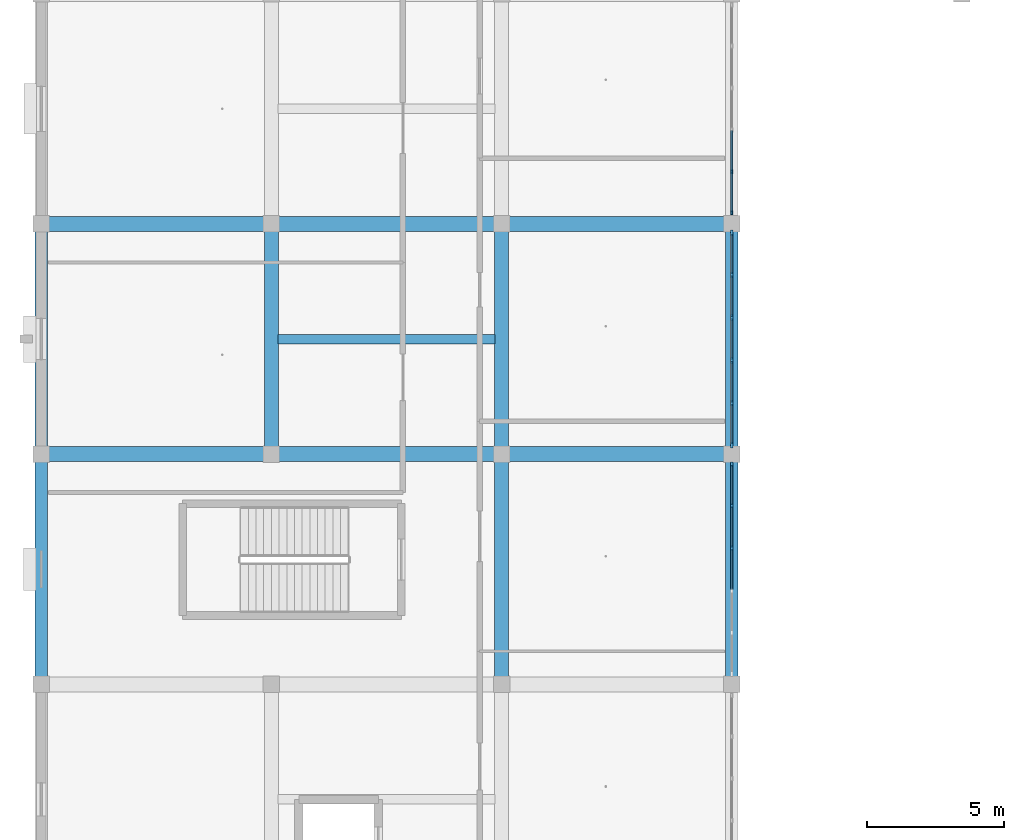
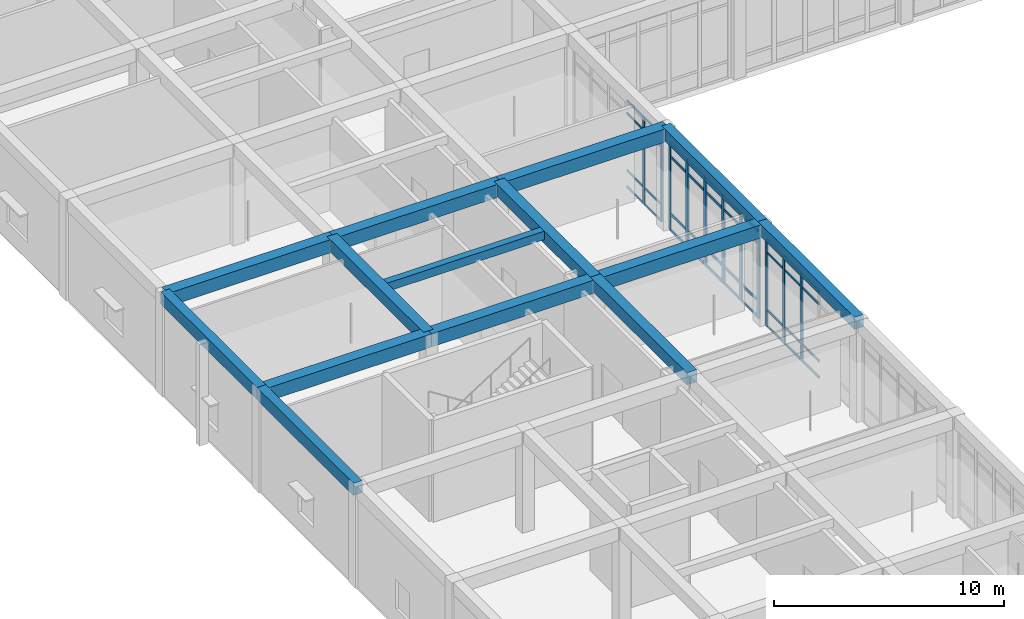
# One storey, part 30 of 157: 51 members, 14 beams, 3 elements without a shape of their own.
"""IFC4 building model written with IfcOpenShell, lengths in metres."""

from ifc_helpers import new_model, si_unit, direction, frame, origin, origin_2d, place, context, subcontext, project, spatial, rectangle, extrude, material, material_profile, profile_set, type_object, element, aggregate, save


model = new_model("IFC4")

# Units and contexts
model_context = context("Model", 3, precision=1e-05, world=origin(), true_north=direction((0.0, 1.0)))
body_context = subcontext(model_context, "Body", "Model", "MODEL_VIEW")
ifc_project = project(units=[si_unit("LENGTHUNIT", "METRE"), si_unit("AREAUNIT", "SQUARE_METRE"), si_unit("VOLUMEUNIT", "CUBIC_METRE"), si_unit("PLANEANGLEUNIT", "RADIAN"), si_unit("MASSUNIT", "GRAM", prefix="KILO")], contexts=[model_context])

# Site, building, storey
site_placement = place(None, origin())
site = spatial("IfcSite", under=ifc_project, at=site_placement, CompositionType="ELEMENT")
building_placement = place(site_placement, origin())
building = spatial("IfcBuilding", under=site, at=building_placement, Name="Varncliffe General Hospital", CompositionType="ELEMENT")
storey_placement = place(building_placement, frame((0.0, 0.0, 5.39990234375)))
storey = spatial("IfcBuildingStorey", under=building, at=storey_placement, Name="L01", CompositionType="ELEMENT", Elevation=5.39990234375)

# Beams
ifc_material_1 = material(Name="Concrete C35/45 (CSA A23.1 35 MPa)", Category="concrete")
ifc_material_profile_1 = material_profile(ifc_material_1, rectangle(XDim=0.5, YDim=0.64990234375, at=origin_2d()), Name="RC 500x650")
ifc_profile_set_1 = profile_set([ifc_material_profile_1], Name="Concrete C35/45 (CSA A23.1 35 MPa)")
beam_type_1 = type_object("IfcBeamType", Name="Beam B29 (Int RC 500x650)", PredefinedType="BEAM", material=ifc_profile_set_1)
for number, where, z_axis, x_axis, name in (
    (1, (8.39990234375, 66.0, 5.0751953125), (0.0, 1.0, 0.0), (-1.0, 0.0, 0.0), "L01 Primary Beam B29-283"),
    (2, (16.800048828125, 57.60009765625, 5.0751953125), (0.0, 1.0, 0.0), (-1.0, 0.0, 0.0), "L01 Primary Beam B29-299"),
    (3, (16.800048828125, 66.0, 5.0751953125), (0.0, 1.0, 0.0), (-1.0, 0.0, 0.0), "L01 Primary Beam B29-300"),
):
    element("IfcBeam", number, at=place(storey_placement, frame(where, z_axis=z_axis, x_axis=x_axis)), inside=storey, type_object=beam_type_1, Name=name, PredefinedType="BEAM", context=body_context, shape_type="SweptSolid", body=[
        extrude(rectangle(XDim=0.5, YDim=0.64990234375, at=origin_2d()), origin(), (0.0, 0.0, 1.0), 8.39990234375),
    ])
ifc_material_profile_2 = material_profile(ifc_material_1, rectangle(XDim=0.550048828125, YDim=0.699951171875, at=origin_2d()), Name="RC 550x700")
ifc_profile_set_2 = profile_set([ifc_material_profile_2], Name="Concrete C35/45 (CSA A23.1 35 MPa)")
beam_type_2 = type_object("IfcBeamType", Name="Beam B35 (Int RC 550x700)", PredefinedType="BEAM", material=ifc_profile_set_2)
beam_1_placement = place(storey_placement, frame((0.0, 66.0, 5.050048828125), z_axis=(1.0, 0.0, 0.0), x_axis=(0.0, 1.0, 0.0)))
element("IfcBeam", 4, at=beam_1_placement, inside=storey, type_object=beam_type_2, Name="L01 Primary Beam B35-86", PredefinedType="BEAM", context=body_context, shape_type="SweptSolid", body=[
    extrude(rectangle(XDim=0.550048828125, YDim=0.699951171875, at=origin_2d()), origin(), (0.0, 0.0, 1.0), 8.39990234375),
])
beam_2_placement = place(storey_placement, frame((8.39990234375, 66.0, 5.050048828125), z_axis=(1.0, 0.0, 0.0), x_axis=(0.0, 1.0, 0.0)))
element("IfcBeam", 5, at=beam_2_placement, inside=storey, type_object=beam_type_2, Name="L01 Primary Beam B35-87", PredefinedType="BEAM", context=body_context, shape_type="SweptSolid", body=[
    extrude(rectangle(XDim=0.550048828125, YDim=0.699951171875, at=origin_2d()), origin(), (0.0, 0.0, 1.0), 8.400146484375),
])
for number, where, z_axis, x_axis, name in (
    (6, (16.800048828125, 66.0, 5.050048828125), (1.0, 0.0, 0.0), (0.0, 1.0, 0.0), "L01 Primary Beam B35-88"),
    (7, (0.0, 74.39990234375, 5.050048828125), (1.0, 0.0, 0.0), (0.0, 1.0, 0.0), "L01 Primary Beam B35-99"),
):
    element("IfcBeam", number, at=place(storey_placement, frame(where, z_axis=z_axis, x_axis=x_axis)), inside=storey, type_object=beam_type_2, Name=name, PredefinedType="BEAM", context=body_context, shape_type="SweptSolid", body=[
        extrude(rectangle(XDim=0.550048828125, YDim=0.699951171875, at=origin_2d()), origin(), (0.0, 0.0, 1.0), 8.39990234375),
    ])
beam_3_placement = place(storey_placement, frame((8.39990234375, 74.39990234375, 5.050048828125), z_axis=(1.0, 0.0, 0.0), x_axis=(0.0, 1.0, 0.0)))
element("IfcBeam", 8, at=beam_3_placement, inside=storey, type_object=beam_type_2, Name="L01 Primary Beam B35-100", PredefinedType="BEAM", context=body_context, shape_type="SweptSolid", body=[
    extrude(rectangle(XDim=0.550048828125, YDim=0.699951171875, at=origin_2d()), origin(), (0.0, 0.0, 1.0), 8.400146484375),
])
beam_4_placement = place(storey_placement, frame((16.800048828125, 74.39990234375, 5.050048828125), z_axis=(1.0, 0.0, 0.0), x_axis=(0.0, 1.0, 0.0)))
element("IfcBeam", 9, at=beam_4_placement, inside=storey, type_object=beam_type_2, Name="L01 Primary Beam B35-101", PredefinedType="BEAM", context=body_context, shape_type="SweptSolid", body=[
    extrude(rectangle(XDim=0.550048828125, YDim=0.699951171875, at=origin_2d()), origin(), (0.0, 0.0, 1.0), 8.39990234375),
])

# Curtain wall, members
ifc_material_2 = material(Name="Triple low-E argon insulated vision glazing", Category="glass")
curtain_wall_type_1 = type_object("IfcCurtainWallType", Name="Unitised Glazed Curtain Wall CW70 (7724x4640)", PredefinedType="USERDEFINED", material=ifc_material_2)
curtain_wall_1_placement = place(storey_placement, origin())
curtain_wall_1 = element("IfcCurtainWall", 10, at=curtain_wall_1_placement, inside=storey, type_object=curtain_wall_type_1, Name="L01 Glazed Curtain Wall CW70-79", ObjectType="GLAZED CURTAIN WALL", PredefinedType="USERDEFINED")
ifc_material_3 = material(Name="Dark bronze thermally broken aluminium framing", Category="aluminium")
ifc_material_profile_3 = material_profile(ifc_material_3, rectangle(XDim=0.074951171875, YDim=0.179931640625, at=origin_2d()), Name="ALU 75x180")
ifc_profile_set_3 = profile_set([ifc_material_profile_3], Name="Dark bronze thermally broken aluminium framing")
member_type_1 = type_object("IfcMemberType", Name="Curtain Wall Mullion CM44 (ALU 75x180)", PredefinedType="MULLION", material=ifc_profile_set_3)
member_1_placement = place(storey_placement, frame((25.199951171875, 65.62451171875, 0.0), z_axis=(0.0, 0.0, 1.0), x_axis=(1.0, 0.0, 0.0)))
member_1 = element("IfcMember", 11, at=member_1_placement, type_object=member_type_1, Name="CW70 mullion 1", PredefinedType="MULLION", context=body_context, shape_type="SweptSolid", body=[
    extrude(rectangle(XDim=0.074951171875, YDim=0.179931640625, at=origin_2d()), origin(), (0.0, 0.0, 1.0), 4.64013671875),
])
member_2_placement = place(storey_placement, frame((25.199951171875, 64.1171875, 0.0), z_axis=(0.0, 0.0, 1.0), x_axis=(1.0, 0.0, 0.0)))
member_2 = element("IfcMember", 12, at=member_2_placement, type_object=member_type_1, Name="CW70 mullion 2", PredefinedType="MULLION", context=body_context, shape_type="SweptSolid", body=[
    extrude(rectangle(XDim=0.074951171875, YDim=0.179931640625, at=origin_2d()), origin(), (0.0, 0.0, 1.0), 4.64013671875),
])
member_3_placement = place(storey_placement, frame((25.199951171875, 62.572509765625, 0.0), z_axis=(0.0, 0.0, 1.0), x_axis=(1.0, 0.0, 0.0)))
member_3 = element("IfcMember", 13, at=member_3_placement, type_object=member_type_1, Name="CW70 mullion 3", PredefinedType="MULLION", context=body_context, shape_type="SweptSolid", body=[
    extrude(rectangle(XDim=0.074951171875, YDim=0.179931640625, at=origin_2d()), origin(), (0.0, 0.0, 1.0), 4.64013671875),
])

curtain_wall_type_2 = type_object("IfcCurtainWallType", Name="Unitised Glazed Curtain Wall CW27 (7644x4640)", PredefinedType="USERDEFINED", material=ifc_material_2)
curtain_wall_2_placement = place(storey_placement, origin())
curtain_wall_2 = element("IfcCurtainWall", 14, at=curtain_wall_2_placement, inside=storey, type_object=curtain_wall_type_2, Name="L01 Glazed Curtain Wall CW27-77", ObjectType="GLAZED CURTAIN WALL", PredefinedType="USERDEFINED")
ifc_material_profile_4 = material_profile(ifc_material_3, rectangle(XDim=0.06494140625, YDim=0.159912109375, at=origin_2d()), Name="ALU 65x160")
ifc_profile_set_4 = profile_set([ifc_material_profile_4], Name="Dark bronze thermally broken aluminium framing")
member_type_2 = type_object("IfcMemberType", Name="Curtain Wall Mullion CM65 (ALU 65x160)", PredefinedType="MULLION", material=ifc_profile_set_4)
member_4_placement = place(storey_placement, frame((25.199951171875, 76.306884765625, 0.0), z_axis=(0.0, 0.0, 1.0), x_axis=(1.0, 0.0, 0.0)))
member_4 = element("IfcMember", 15, at=member_4_placement, type_object=member_type_2, Name="CW27 mullion 5", PredefinedType="MULLION", context=body_context, shape_type="SweptSolid", body=[
    extrude(rectangle(XDim=0.06494140625, YDim=0.159912109375, at=origin_2d()), origin(), (0.0, 0.0, 1.0), 4.64013671875),
])
member_5_placement = place(storey_placement, frame((25.199951171875, 74.810546875, 0.0), z_axis=(0.0, 0.0, 1.0), x_axis=(1.0, 0.0, 0.0)))
member_5 = element("IfcMember", 16, at=member_5_placement, type_object=member_type_2, Name="CW27 mullion 6", PredefinedType="MULLION", context=body_context, shape_type="SweptSolid", body=[
    extrude(rectangle(XDim=0.06494140625, YDim=0.159912109375, at=origin_2d()), origin(), (0.0, 0.0, 1.0), 4.64013671875),
])

curtain_wall_type_3 = type_object("IfcCurtainWallType", Name="Unitised Glazed Curtain Wall CW85 (7804x4640)", PredefinedType="USERDEFINED", material=ifc_material_2)
curtain_wall_3_placement = place(storey_placement, origin())
curtain_wall_3 = element("IfcCurtainWall", 17, at=curtain_wall_3_placement, inside=storey, type_object=curtain_wall_type_3, Name="L01 Glazed Curtain Wall CW85-78", ObjectType="GLAZED CURTAIN WALL", PredefinedType="USERDEFINED")
ifc_material_profile_5 = material_profile(ifc_material_3, rectangle(XDim=0.074951171875, YDim=0.219970703125, at=origin_2d()), Name="ALU 75x220")
ifc_profile_set_5 = profile_set([ifc_material_profile_5], Name="Dark bronze thermally broken aluminium framing")
member_type_3 = type_object("IfcMemberType", Name="Curtain Wall Mullion CM74 (ALU 75x220)", PredefinedType="MULLION", material=ifc_profile_set_5)
member_6_placement = place(storey_placement, frame((25.199951171875, 74.064453125, 0.0), z_axis=(0.0, 0.0, 1.0), x_axis=(1.0, 0.0, 0.0)))
member_6 = element("IfcMember", 18, at=member_6_placement, type_object=member_type_3, Name="CW85 mullion 1", PredefinedType="MULLION", context=body_context, shape_type="SweptSolid", body=[
    extrude(rectangle(XDim=0.074951171875, YDim=0.219970703125, at=origin_2d()), origin(), (0.0, 0.0, 1.0), 4.64013671875),
])
member_7_placement = place(storey_placement, frame((25.199951171875, 72.541259765625, 0.0), z_axis=(0.0, 0.0, 1.0), x_axis=(1.0, 0.0, 0.0)))
member_7 = element("IfcMember", 19, at=member_7_placement, type_object=member_type_3, Name="CW85 mullion 2", PredefinedType="MULLION", context=body_context, shape_type="SweptSolid", body=[
    extrude(rectangle(XDim=0.074951171875, YDim=0.219970703125, at=origin_2d()), origin(), (0.0, 0.0, 1.0), 4.64013671875),
])
member_8_placement = place(storey_placement, frame((25.199951171875, 70.98046875, 0.0), z_axis=(0.0, 0.0, 1.0), x_axis=(1.0, 0.0, 0.0)))
member_8 = element("IfcMember", 20, at=member_8_placement, type_object=member_type_3, Name="CW85 mullion 3", PredefinedType="MULLION", context=body_context, shape_type="SweptSolid", body=[
    extrude(rectangle(XDim=0.074951171875, YDim=0.219970703125, at=origin_2d()), origin(), (0.0, 0.0, 1.0), 4.64013671875),
])
member_9_placement = place(storey_placement, frame((25.199951171875, 69.419677734375, 0.0), z_axis=(0.0, 0.0, 1.0), x_axis=(1.0, 0.0, 0.0)))
member_9 = element("IfcMember", 21, at=member_9_placement, type_object=member_type_3, Name="CW85 mullion 4", PredefinedType="MULLION", context=body_context, shape_type="SweptSolid", body=[
    extrude(rectangle(XDim=0.074951171875, YDim=0.219970703125, at=origin_2d()), origin(), (0.0, 0.0, 1.0), 4.64013671875),
])
member_10_placement = place(storey_placement, frame((25.199951171875, 67.85888671875, 0.0), z_axis=(0.0, 0.0, 1.0), x_axis=(1.0, 0.0, 0.0)))
member_10 = element("IfcMember", 22, at=member_10_placement, type_object=member_type_3, Name="CW85 mullion 5", PredefinedType="MULLION", context=body_context, shape_type="SweptSolid", body=[
    extrude(rectangle(XDim=0.074951171875, YDim=0.219970703125, at=origin_2d()), origin(), (0.0, 0.0, 1.0), 4.64013671875),
])
member_11_placement = place(storey_placement, frame((25.199951171875, 66.33544921875, 0.0), z_axis=(0.0, 0.0, 1.0), x_axis=(1.0, 0.0, 0.0)))
member_11 = element("IfcMember", 23, at=member_11_placement, type_object=member_type_3, Name="CW85 mullion 6", PredefinedType="MULLION", context=body_context, shape_type="SweptSolid", body=[
    extrude(rectangle(XDim=0.074951171875, YDim=0.219970703125, at=origin_2d()), origin(), (0.0, 0.0, 1.0), 4.64013671875),
])

# Member
ifc_material_profile_6 = material_profile(ifc_material_3, rectangle(XDim=0.06005859375, YDim=0.1201171875, at=origin_2d()), Name="ALU 60x120")
ifc_profile_set_6 = profile_set([ifc_material_profile_6], Name="Dark bronze thermally broken aluminium framing")
member_type_4 = type_object("IfcMemberType", Name="Curtain Wall Transom CT14 (ALU 60x120)", PredefinedType="USERDEFINED", material=ifc_profile_set_6)
member_12_placement = place(storey_placement, frame((25.199951171875, 65.5869140625, 0.030029296875), z_axis=(0.0, -1.0, 0.0), x_axis=(1.0, 0.0, 0.0)))
member_12 = element("IfcMember", 24, at=member_12_placement, type_object=member_type_4, Name="CW70 transom 1.1", ObjectType="TRANSOM", PredefinedType="USERDEFINED", context=body_context, shape_type="SweptSolid", body=[
    extrude(rectangle(XDim=0.06005859375, YDim=0.1201171875, at=origin_2d()), origin(), (0.0, 0.0, 1.0), 1.43212890625),
])

member_13_placement = place(storey_placement, frame((25.199951171875, 65.5869140625, 0.900146484375), z_axis=(0.0, -1.0, 0.0), x_axis=(1.0, 0.0, 0.0)))
member_13 = element("IfcMember", 25, at=member_13_placement, type_object=member_type_4, Name="CW70 transom 1.2", ObjectType="TRANSOM", PredefinedType="USERDEFINED", context=body_context, shape_type="SweptSolid", body=[
    extrude(rectangle(XDim=0.06005859375, YDim=0.1201171875, at=origin_2d()), origin(), (0.0, 0.0, 1.0), 1.43212890625),
])

member_14_placement = place(storey_placement, frame((25.199951171875, 65.5869140625, 3.940185546875), z_axis=(0.0, -1.0, 0.0), x_axis=(1.0, 0.0, 0.0)))
member_14 = element("IfcMember", 26, at=member_14_placement, type_object=member_type_4, Name="CW70 transom 1.3", ObjectType="TRANSOM", PredefinedType="USERDEFINED", context=body_context, shape_type="SweptSolid", body=[
    extrude(rectangle(XDim=0.06005859375, YDim=0.1201171875, at=origin_2d()), origin(), (0.0, 0.0, 1.0), 1.43212890625),
])

member_15_placement = place(storey_placement, frame((25.199951171875, 65.5869140625, 4.610107421875), z_axis=(0.0, -1.0, 0.0), x_axis=(1.0, 0.0, 0.0)))
member_15 = element("IfcMember", 27, at=member_15_placement, type_object=member_type_4, Name="CW70 transom 1.4", ObjectType="TRANSOM", PredefinedType="USERDEFINED", context=body_context, shape_type="SweptSolid", body=[
    extrude(rectangle(XDim=0.06005859375, YDim=0.1201171875, at=origin_2d()), origin(), (0.0, 0.0, 1.0), 1.43212890625),
])

member_16_placement = place(storey_placement, frame((25.199951171875, 64.07958984375, 0.030029296875), z_axis=(0.0, -1.0, 0.0), x_axis=(1.0, 0.0, 0.0)))
member_16 = element("IfcMember", 28, at=member_16_placement, type_object=member_type_4, Name="CW70 transom 2.1", ObjectType="TRANSOM", PredefinedType="USERDEFINED", context=body_context, shape_type="SweptSolid", body=[
    extrude(rectangle(XDim=0.06005859375, YDim=0.1201171875, at=origin_2d()), origin(), (0.0, 0.0, 1.0), 1.4697265625),
])

member_17_placement = place(storey_placement, frame((25.199951171875, 64.07958984375, 0.900146484375), z_axis=(0.0, -1.0, 0.0), x_axis=(1.0, 0.0, 0.0)))
member_17 = element("IfcMember", 29, at=member_17_placement, type_object=member_type_4, Name="CW70 transom 2.2", ObjectType="TRANSOM", PredefinedType="USERDEFINED", context=body_context, shape_type="SweptSolid", body=[
    extrude(rectangle(XDim=0.06005859375, YDim=0.1201171875, at=origin_2d()), origin(), (0.0, 0.0, 1.0), 1.4697265625),
])

member_18_placement = place(storey_placement, frame((25.199951171875, 64.07958984375, 3.940185546875), z_axis=(0.0, -1.0, 0.0), x_axis=(1.0, 0.0, 0.0)))
member_18 = element("IfcMember", 30, at=member_18_placement, type_object=member_type_4, Name="CW70 transom 2.3", ObjectType="TRANSOM", PredefinedType="USERDEFINED", context=body_context, shape_type="SweptSolid", body=[
    extrude(rectangle(XDim=0.06005859375, YDim=0.1201171875, at=origin_2d()), origin(), (0.0, 0.0, 1.0), 1.4697265625),
])

member_19_placement = place(storey_placement, frame((25.199951171875, 64.07958984375, 4.610107421875), z_axis=(0.0, -1.0, 0.0), x_axis=(1.0, 0.0, 0.0)))
member_19 = element("IfcMember", 31, at=member_19_placement, type_object=member_type_4, Name="CW70 transom 2.4", ObjectType="TRANSOM", PredefinedType="USERDEFINED", context=body_context, shape_type="SweptSolid", body=[
    extrude(rectangle(XDim=0.06005859375, YDim=0.1201171875, at=origin_2d()), origin(), (0.0, 0.0, 1.0), 1.4697265625),
])

member_20_placement = place(storey_placement, frame((25.199951171875, 62.534912109375, 0.030029296875), z_axis=(0.0, -1.0, 0.0), x_axis=(1.0, 0.0, 0.0)))
member_20 = element("IfcMember", 32, at=member_20_placement, type_object=member_type_4, Name="CW70 transom 3.1", ObjectType="TRANSOM", PredefinedType="USERDEFINED", context=body_context, shape_type="SweptSolid", body=[
    extrude(rectangle(XDim=0.06005859375, YDim=0.1201171875, at=origin_2d()), origin(), (0.0, 0.0, 1.0), 1.4697265625),
])

member_21_placement = place(storey_placement, frame((25.199951171875, 62.534912109375, 0.900146484375), z_axis=(0.0, -1.0, 0.0), x_axis=(1.0, 0.0, 0.0)))
member_21 = element("IfcMember", 33, at=member_21_placement, type_object=member_type_4, Name="CW70 transom 3.2", ObjectType="TRANSOM", PredefinedType="USERDEFINED", context=body_context, shape_type="SweptSolid", body=[
    extrude(rectangle(XDim=0.06005859375, YDim=0.1201171875, at=origin_2d()), origin(), (0.0, 0.0, 1.0), 1.4697265625),
])

member_22_placement = place(storey_placement, frame((25.199951171875, 62.534912109375, 3.940185546875), z_axis=(0.0, -1.0, 0.0), x_axis=(1.0, 0.0, 0.0)))
member_22 = element("IfcMember", 34, at=member_22_placement, type_object=member_type_4, Name="CW70 transom 3.3", ObjectType="TRANSOM", PredefinedType="USERDEFINED", context=body_context, shape_type="SweptSolid", body=[
    extrude(rectangle(XDim=0.06005859375, YDim=0.1201171875, at=origin_2d()), origin(), (0.0, 0.0, 1.0), 1.4697265625),
])

member_23_placement = place(storey_placement, frame((25.199951171875, 62.534912109375, 4.610107421875), z_axis=(0.0, -1.0, 0.0), x_axis=(1.0, 0.0, 0.0)))
member_23 = element("IfcMember", 35, at=member_23_placement, type_object=member_type_4, Name="CW70 transom 3.4", ObjectType="TRANSOM", PredefinedType="USERDEFINED", context=body_context, shape_type="SweptSolid", body=[
    extrude(rectangle(XDim=0.06005859375, YDim=0.1201171875, at=origin_2d()), origin(), (0.0, 0.0, 1.0), 1.4697265625),
])

aggregate(curtain_wall_1, [member_1, member_2, member_3, member_12, member_13, member_14, member_15, member_16, member_17, member_18, member_19, member_20, member_21, member_22, member_23])

ifc_material_profile_7 = material_profile(ifc_material_3, rectangle(XDim=0.06005859375, YDim=0.10009765625, at=origin_2d()), Name="ALU 60x100")
ifc_profile_set_7 = profile_set([ifc_material_profile_7], Name="Dark bronze thermally broken aluminium framing")
member_type_5 = type_object("IfcMemberType", Name="Curtain Wall Transom CT18 (ALU 60x100)", PredefinedType="USERDEFINED", material=ifc_profile_set_7)
member_24_placement = place(storey_placement, frame((25.199951171875, 77.802978515625, 0.030029296875), z_axis=(0.0, -1.0, 0.0), x_axis=(1.0, 0.0, 0.0)))
member_24 = element("IfcMember", 36, at=member_24_placement, type_object=member_type_5, Name="CW27 transom 4.1", ObjectType="TRANSOM", PredefinedType="USERDEFINED", context=body_context, shape_type="SweptSolid", body=[
    extrude(rectangle(XDim=0.06005859375, YDim=0.10009765625, at=origin_2d()), origin(), (0.0, 0.0, 1.0), 1.463623046875),
])

member_25_placement = place(storey_placement, frame((25.199951171875, 77.802978515625, 0.900146484375), z_axis=(0.0, -1.0, 0.0), x_axis=(1.0, 0.0, 0.0)))
member_25 = element("IfcMember", 37, at=member_25_placement, type_object=member_type_5, Name="CW27 transom 4.2", ObjectType="TRANSOM", PredefinedType="USERDEFINED", context=body_context, shape_type="SweptSolid", body=[
    extrude(rectangle(XDim=0.06005859375, YDim=0.10009765625, at=origin_2d()), origin(), (0.0, 0.0, 1.0), 1.463623046875),
])

member_26_placement = place(storey_placement, frame((25.199951171875, 77.802978515625, 3.940185546875), z_axis=(0.0, -1.0, 0.0), x_axis=(1.0, 0.0, 0.0)))
member_26 = element("IfcMember", 38, at=member_26_placement, type_object=member_type_5, Name="CW27 transom 4.3", ObjectType="TRANSOM", PredefinedType="USERDEFINED", context=body_context, shape_type="SweptSolid", body=[
    extrude(rectangle(XDim=0.06005859375, YDim=0.10009765625, at=origin_2d()), origin(), (0.0, 0.0, 1.0), 1.463623046875),
])

member_27_placement = place(storey_placement, frame((25.199951171875, 77.802978515625, 4.610107421875), z_axis=(0.0, -1.0, 0.0), x_axis=(1.0, 0.0, 0.0)))
member_27 = element("IfcMember", 39, at=member_27_placement, type_object=member_type_5, Name="CW27 transom 4.4", ObjectType="TRANSOM", PredefinedType="USERDEFINED", context=body_context, shape_type="SweptSolid", body=[
    extrude(rectangle(XDim=0.06005859375, YDim=0.10009765625, at=origin_2d()), origin(), (0.0, 0.0, 1.0), 1.463623046875),
])

member_28_placement = place(storey_placement, frame((25.199951171875, 76.2744140625, 0.030029296875), z_axis=(0.0, -1.0, 0.0), x_axis=(1.0, 0.0, 0.0)))
member_28 = element("IfcMember", 40, at=member_28_placement, type_object=member_type_5, Name="CW27 transom 5.1", ObjectType="TRANSOM", PredefinedType="USERDEFINED", context=body_context, shape_type="SweptSolid", body=[
    extrude(rectangle(XDim=0.06005859375, YDim=0.10009765625, at=origin_2d()), origin(), (0.0, 0.0, 1.0), 1.431396484375),
])

member_29_placement = place(storey_placement, frame((25.199951171875, 76.2744140625, 0.900146484375), z_axis=(0.0, -1.0, 0.0), x_axis=(1.0, 0.0, 0.0)))
member_29 = element("IfcMember", 41, at=member_29_placement, type_object=member_type_5, Name="CW27 transom 5.2", ObjectType="TRANSOM", PredefinedType="USERDEFINED", context=body_context, shape_type="SweptSolid", body=[
    extrude(rectangle(XDim=0.06005859375, YDim=0.10009765625, at=origin_2d()), origin(), (0.0, 0.0, 1.0), 1.431396484375),
])

member_30_placement = place(storey_placement, frame((25.199951171875, 76.2744140625, 3.940185546875), z_axis=(0.0, -1.0, 0.0), x_axis=(1.0, 0.0, 0.0)))
member_30 = element("IfcMember", 42, at=member_30_placement, type_object=member_type_5, Name="CW27 transom 5.3", ObjectType="TRANSOM", PredefinedType="USERDEFINED", context=body_context, shape_type="SweptSolid", body=[
    extrude(rectangle(XDim=0.06005859375, YDim=0.10009765625, at=origin_2d()), origin(), (0.0, 0.0, 1.0), 1.431396484375),
])

member_31_placement = place(storey_placement, frame((25.199951171875, 76.2744140625, 4.610107421875), z_axis=(0.0, -1.0, 0.0), x_axis=(1.0, 0.0, 0.0)))
member_31 = element("IfcMember", 43, at=member_31_placement, type_object=member_type_5, Name="CW27 transom 5.4", ObjectType="TRANSOM", PredefinedType="USERDEFINED", context=body_context, shape_type="SweptSolid", body=[
    extrude(rectangle(XDim=0.06005859375, YDim=0.10009765625, at=origin_2d()), origin(), (0.0, 0.0, 1.0), 1.431396484375),
])

aggregate(curtain_wall_2, [member_4, member_5, member_24, member_25, member_26, member_27, member_28, member_29, member_30, member_31])

ifc_material_profile_8 = material_profile(ifc_material_3, rectangle(XDim=0.06494140625, YDim=0.139892578125, at=origin_2d()), Name="ALU 65x140")
ifc_profile_set_8 = profile_set([ifc_material_profile_8], Name="Dark bronze thermally broken aluminium framing")
member_type_6 = type_object("IfcMemberType", Name="Curtain Wall Transom CT69 (ALU 65x140)", PredefinedType="USERDEFINED", material=ifc_profile_set_8)
member_32_placement = place(storey_placement, frame((25.199951171875, 74.027099609375, 0.03271484375), z_axis=(0.0, -1.0, 0.0), x_axis=(1.0, 0.0, 0.0)))
member_32 = element("IfcMember", 44, at=member_32_placement, type_object=member_type_6, Name="CW85 transom 1.1", ObjectType="TRANSOM", PredefinedType="USERDEFINED", context=body_context, shape_type="SweptSolid", body=[
    extrude(rectangle(XDim=0.06494140625, YDim=0.139892578125, at=origin_2d()), origin(), (0.0, 0.0, 1.0), 1.448486328125),
])

member_33_placement = place(storey_placement, frame((25.199951171875, 74.027099609375, 0.900146484375), z_axis=(0.0, -1.0, 0.0), x_axis=(1.0, 0.0, 0.0)))
member_33 = element("IfcMember", 45, at=member_33_placement, type_object=member_type_6, Name="CW85 transom 1.2", ObjectType="TRANSOM", PredefinedType="USERDEFINED", context=body_context, shape_type="SweptSolid", body=[
    extrude(rectangle(XDim=0.06494140625, YDim=0.139892578125, at=origin_2d()), origin(), (0.0, 0.0, 1.0), 1.448486328125),
])

member_34_placement = place(storey_placement, frame((25.199951171875, 74.027099609375, 3.940185546875), z_axis=(0.0, -1.0, 0.0), x_axis=(1.0, 0.0, 0.0)))
member_34 = element("IfcMember", 46, at=member_34_placement, type_object=member_type_6, Name="CW85 transom 1.3", ObjectType="TRANSOM", PredefinedType="USERDEFINED", context=body_context, shape_type="SweptSolid", body=[
    extrude(rectangle(XDim=0.06494140625, YDim=0.139892578125, at=origin_2d()), origin(), (0.0, 0.0, 1.0), 1.448486328125),
])

member_35_placement = place(storey_placement, frame((25.199951171875, 74.027099609375, 4.607666015625), z_axis=(0.0, -1.0, 0.0), x_axis=(1.0, 0.0, 0.0)))
member_35 = element("IfcMember", 47, at=member_35_placement, type_object=member_type_6, Name="CW85 transom 1.4", ObjectType="TRANSOM", PredefinedType="USERDEFINED", context=body_context, shape_type="SweptSolid", body=[
    extrude(rectangle(XDim=0.06494140625, YDim=0.139892578125, at=origin_2d()), origin(), (0.0, 0.0, 1.0), 1.448486328125),
])

member_36_placement = place(storey_placement, frame((25.199951171875, 72.503662109375, 0.03271484375), z_axis=(0.0, -1.0, 0.0), x_axis=(1.0, 0.0, 0.0)))
member_36 = element("IfcMember", 48, at=member_36_placement, type_object=member_type_6, Name="CW85 transom 2.1", ObjectType="TRANSOM", PredefinedType="USERDEFINED", context=body_context, shape_type="SweptSolid", body=[
    extrude(rectangle(XDim=0.06494140625, YDim=0.139892578125, at=origin_2d()), origin(), (0.0, 0.0, 1.0), 1.48583984375),
])

member_37_placement = place(storey_placement, frame((25.199951171875, 72.503662109375, 0.900146484375), z_axis=(0.0, -1.0, 0.0), x_axis=(1.0, 0.0, 0.0)))
member_37 = element("IfcMember", 49, at=member_37_placement, type_object=member_type_6, Name="CW85 transom 2.2", ObjectType="TRANSOM", PredefinedType="USERDEFINED", context=body_context, shape_type="SweptSolid", body=[
    extrude(rectangle(XDim=0.06494140625, YDim=0.139892578125, at=origin_2d()), origin(), (0.0, 0.0, 1.0), 1.48583984375),
])

member_38_placement = place(storey_placement, frame((25.199951171875, 72.503662109375, 3.940185546875), z_axis=(0.0, -1.0, 0.0), x_axis=(1.0, 0.0, 0.0)))
member_38 = element("IfcMember", 50, at=member_38_placement, type_object=member_type_6, Name="CW85 transom 2.3", ObjectType="TRANSOM", PredefinedType="USERDEFINED", context=body_context, shape_type="SweptSolid", body=[
    extrude(rectangle(XDim=0.06494140625, YDim=0.139892578125, at=origin_2d()), origin(), (0.0, 0.0, 1.0), 1.48583984375),
])

member_39_placement = place(storey_placement, frame((25.199951171875, 72.503662109375, 4.607666015625), z_axis=(0.0, -1.0, 0.0), x_axis=(1.0, 0.0, 0.0)))
member_39 = element("IfcMember", 51, at=member_39_placement, type_object=member_type_6, Name="CW85 transom 2.4", ObjectType="TRANSOM", PredefinedType="USERDEFINED", context=body_context, shape_type="SweptSolid", body=[
    extrude(rectangle(XDim=0.06494140625, YDim=0.139892578125, at=origin_2d()), origin(), (0.0, 0.0, 1.0), 1.48583984375),
])

member_40_placement = place(storey_placement, frame((25.199951171875, 70.94287109375, 0.03271484375), z_axis=(0.0, -1.0, 0.0), x_axis=(1.0, 0.0, 0.0)))
member_40 = element("IfcMember", 52, at=member_40_placement, type_object=member_type_6, Name="CW85 transom 3.1", ObjectType="TRANSOM", PredefinedType="USERDEFINED", context=body_context, shape_type="SweptSolid", body=[
    extrude(rectangle(XDim=0.06494140625, YDim=0.139892578125, at=origin_2d()), origin(), (0.0, 0.0, 1.0), 1.48583984375),
])

member_41_placement = place(storey_placement, frame((25.199951171875, 70.94287109375, 0.900146484375), z_axis=(0.0, -1.0, 0.0), x_axis=(1.0, 0.0, 0.0)))
member_41 = element("IfcMember", 53, at=member_41_placement, type_object=member_type_6, Name="CW85 transom 3.2", ObjectType="TRANSOM", PredefinedType="USERDEFINED", context=body_context, shape_type="SweptSolid", body=[
    extrude(rectangle(XDim=0.06494140625, YDim=0.139892578125, at=origin_2d()), origin(), (0.0, 0.0, 1.0), 1.48583984375),
])

member_42_placement = place(storey_placement, frame((25.199951171875, 70.94287109375, 3.940185546875), z_axis=(0.0, -1.0, 0.0), x_axis=(1.0, 0.0, 0.0)))
member_42 = element("IfcMember", 54, at=member_42_placement, type_object=member_type_6, Name="CW85 transom 3.3", ObjectType="TRANSOM", PredefinedType="USERDEFINED", context=body_context, shape_type="SweptSolid", body=[
    extrude(rectangle(XDim=0.06494140625, YDim=0.139892578125, at=origin_2d()), origin(), (0.0, 0.0, 1.0), 1.48583984375),
])

member_43_placement = place(storey_placement, frame((25.199951171875, 70.94287109375, 4.607666015625), z_axis=(0.0, -1.0, 0.0), x_axis=(1.0, 0.0, 0.0)))
member_43 = element("IfcMember", 55, at=member_43_placement, type_object=member_type_6, Name="CW85 transom 3.4", ObjectType="TRANSOM", PredefinedType="USERDEFINED", context=body_context, shape_type="SweptSolid", body=[
    extrude(rectangle(XDim=0.06494140625, YDim=0.139892578125, at=origin_2d()), origin(), (0.0, 0.0, 1.0), 1.48583984375),
])

member_44_placement = place(storey_placement, frame((25.199951171875, 69.382080078125, 0.03271484375), z_axis=(0.0, -1.0, 0.0), x_axis=(1.0, 0.0, 0.0)))
member_44 = element("IfcMember", 56, at=member_44_placement, type_object=member_type_6, Name="CW85 transom 4.1", ObjectType="TRANSOM", PredefinedType="USERDEFINED", context=body_context, shape_type="SweptSolid", body=[
    extrude(rectangle(XDim=0.06494140625, YDim=0.139892578125, at=origin_2d()), origin(), (0.0, 0.0, 1.0), 1.48583984375),
])

member_45_placement = place(storey_placement, frame((25.199951171875, 69.382080078125, 0.900146484375), z_axis=(0.0, -1.0, 0.0), x_axis=(1.0, 0.0, 0.0)))
member_45 = element("IfcMember", 57, at=member_45_placement, type_object=member_type_6, Name="CW85 transom 4.2", ObjectType="TRANSOM", PredefinedType="USERDEFINED", context=body_context, shape_type="SweptSolid", body=[
    extrude(rectangle(XDim=0.06494140625, YDim=0.139892578125, at=origin_2d()), origin(), (0.0, 0.0, 1.0), 1.48583984375),
])

member_46_placement = place(storey_placement, frame((25.199951171875, 69.382080078125, 3.940185546875), z_axis=(0.0, -1.0, 0.0), x_axis=(1.0, 0.0, 0.0)))
member_46 = element("IfcMember", 58, at=member_46_placement, type_object=member_type_6, Name="CW85 transom 4.3", ObjectType="TRANSOM", PredefinedType="USERDEFINED", context=body_context, shape_type="SweptSolid", body=[
    extrude(rectangle(XDim=0.06494140625, YDim=0.139892578125, at=origin_2d()), origin(), (0.0, 0.0, 1.0), 1.48583984375),
])

member_47_placement = place(storey_placement, frame((25.199951171875, 69.382080078125, 4.607666015625), z_axis=(0.0, -1.0, 0.0), x_axis=(1.0, 0.0, 0.0)))
member_47 = element("IfcMember", 59, at=member_47_placement, type_object=member_type_6, Name="CW85 transom 4.4", ObjectType="TRANSOM", PredefinedType="USERDEFINED", context=body_context, shape_type="SweptSolid", body=[
    extrude(rectangle(XDim=0.06494140625, YDim=0.139892578125, at=origin_2d()), origin(), (0.0, 0.0, 1.0), 1.48583984375),
])

member_48_placement = place(storey_placement, frame((25.199951171875, 67.8212890625, 0.03271484375), z_axis=(0.0, -1.0, 0.0), x_axis=(1.0, 0.0, 0.0)))
member_48 = element("IfcMember", 60, at=member_48_placement, type_object=member_type_6, Name="CW85 transom 5.1", ObjectType="TRANSOM", PredefinedType="USERDEFINED", context=body_context, shape_type="SweptSolid", body=[
    extrude(rectangle(XDim=0.06494140625, YDim=0.139892578125, at=origin_2d()), origin(), (0.0, 0.0, 1.0), 1.4482421875),
])

member_49_placement = place(storey_placement, frame((25.199951171875, 67.8212890625, 0.900146484375), z_axis=(0.0, -1.0, 0.0), x_axis=(1.0, 0.0, 0.0)))
member_49 = element("IfcMember", 61, at=member_49_placement, type_object=member_type_6, Name="CW85 transom 5.2", ObjectType="TRANSOM", PredefinedType="USERDEFINED", context=body_context, shape_type="SweptSolid", body=[
    extrude(rectangle(XDim=0.06494140625, YDim=0.139892578125, at=origin_2d()), origin(), (0.0, 0.0, 1.0), 1.4482421875),
])

member_50_placement = place(storey_placement, frame((25.199951171875, 67.8212890625, 3.940185546875), z_axis=(0.0, -1.0, 0.0), x_axis=(1.0, 0.0, 0.0)))
member_50 = element("IfcMember", 62, at=member_50_placement, type_object=member_type_6, Name="CW85 transom 5.3", ObjectType="TRANSOM", PredefinedType="USERDEFINED", context=body_context, shape_type="SweptSolid", body=[
    extrude(rectangle(XDim=0.06494140625, YDim=0.139892578125, at=origin_2d()), origin(), (0.0, 0.0, 1.0), 1.4482421875),
])

member_51_placement = place(storey_placement, frame((25.199951171875, 67.8212890625, 4.607666015625), z_axis=(0.0, -1.0, 0.0), x_axis=(1.0, 0.0, 0.0)))
member_51 = element("IfcMember", 63, at=member_51_placement, type_object=member_type_6, Name="CW85 transom 5.4", ObjectType="TRANSOM", PredefinedType="USERDEFINED", context=body_context, shape_type="SweptSolid", body=[
    extrude(rectangle(XDim=0.06494140625, YDim=0.139892578125, at=origin_2d()), origin(), (0.0, 0.0, 1.0), 1.4482421875),
])

aggregate(curtain_wall_3, [member_6, member_7, member_8, member_9, member_10, member_11, member_32, member_33, member_34, member_35, member_36, member_37, member_38, member_39, member_40, member_41, member_42, member_43, member_44, member_45, member_46, member_47, member_48, member_49, member_50, member_51])

# Beams
ifc_material_profile_9 = material_profile(ifc_material_1, rectangle(XDim=0.35009765625, YDim=0.449951171875, at=origin_2d()), Name="RC 350x450")
ifc_profile_set_9 = profile_set([ifc_material_profile_9], Name="Concrete C35/45 (CSA A23.1 35 MPa)")
beam_type_3 = type_object("IfcBeamType", Name="Joist J55 (Int RC 350x450)", PredefinedType="JOIST", material=ifc_profile_set_9)
beam_5_placement = place(storey_placement, frame((8.64794921875, 70.199951171875, 5.175048828125), z_axis=(1.0, 0.0, 0.0), x_axis=(0.0, 1.0, 0.0)))
element("IfcBeam", 64, at=beam_5_placement, inside=storey, type_object=beam_type_3, Name="L01 Secondary Floor Rib J55-7", PredefinedType="JOIST", context=body_context, shape_type="SweptSolid", body=[
    extrude(rectangle(XDim=0.35009765625, YDim=0.449951171875, at=origin_2d()), origin(), (0.0, 0.0, 1.0), 7.904052734375),
])
ifc_material_profile_10 = material_profile(ifc_material_1, rectangle(XDim=0.449951171875, YDim=0.64990234375, at=origin_2d()), Name="RC 450x650")
ifc_profile_set_10 = profile_set([ifc_material_profile_10], Name="Concrete C35/45 (CSA A23.1 35 MPa)")
beam_type_4 = type_object("IfcBeamType", Name="Spandrel SP38 (Ext RC 450x650B)", PredefinedType="SPANDREL", material=ifc_profile_set_10)
for number, where, z_axis, x_axis, name in (
    (65, (0.0, 57.60009765625, 5.0751953125), (0.0, 1.0, 0.0), (-1.0, 0.0, 0.0), "L01 Spandrel Beam SP38-266"),
    (66, (0.0, 66.0, 5.0751953125), (0.0, 1.0, 0.0), (-1.0, 0.0, 0.0), "L01 Spandrel Beam SP38-267"),
    (67, (25.199951171875, 57.60009765625, 5.0751953125), (0.0, 1.0, 0.0), (-1.0, 0.0, 0.0), "L01 Spandrel Beam SP38-316"),
    (68, (25.199951171875, 66.0, 5.0751953125), (0.0, 1.0, 0.0), (-1.0, 0.0, 0.0), "L01 Spandrel Beam SP38-317"),
):
    element("IfcBeam", number, at=place(storey_placement, frame(where, z_axis=z_axis, x_axis=x_axis)), inside=storey, type_object=beam_type_4, Name=name, PredefinedType="SPANDREL", context=body_context, shape_type="SweptSolid", body=[
        extrude(rectangle(XDim=0.449951171875, YDim=0.64990234375, at=origin_2d()), origin(), (0.0, 0.0, 1.0), 8.39990234375),
    ])

save(model, "model.ifc")
